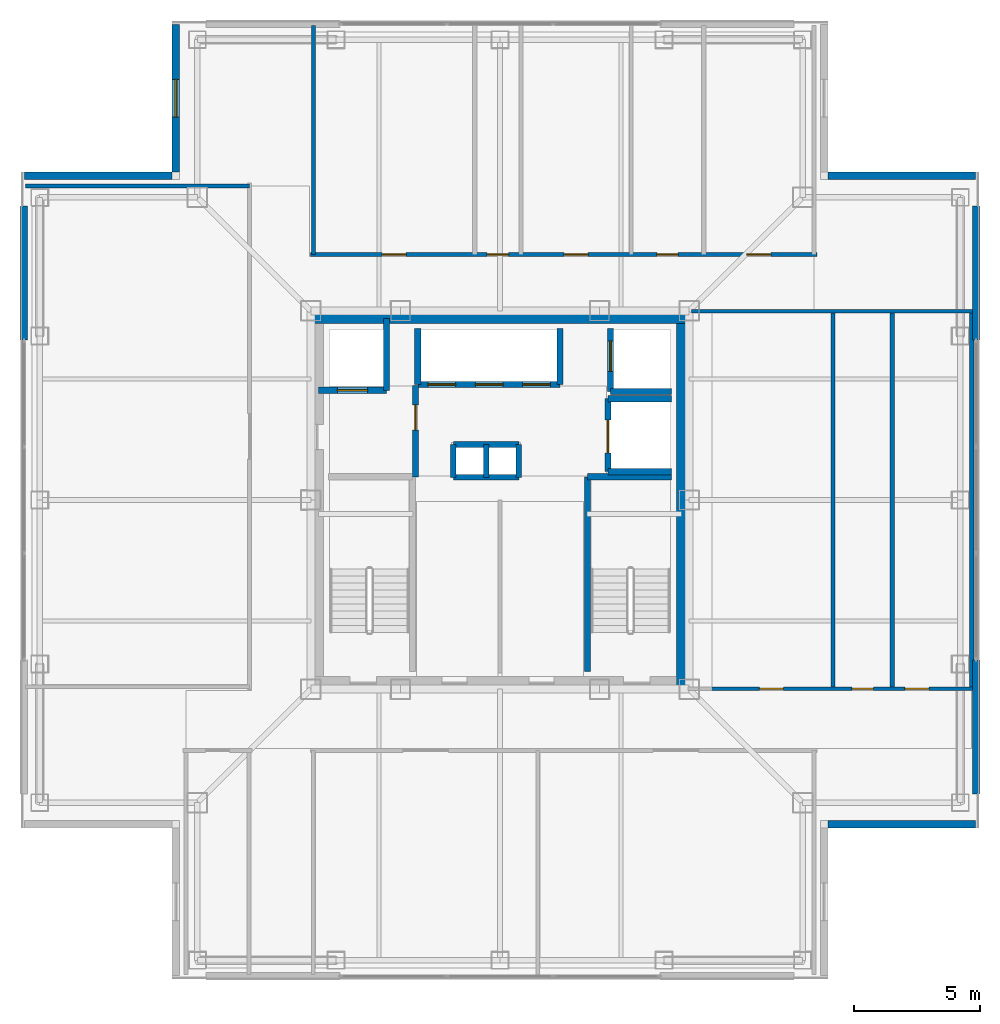
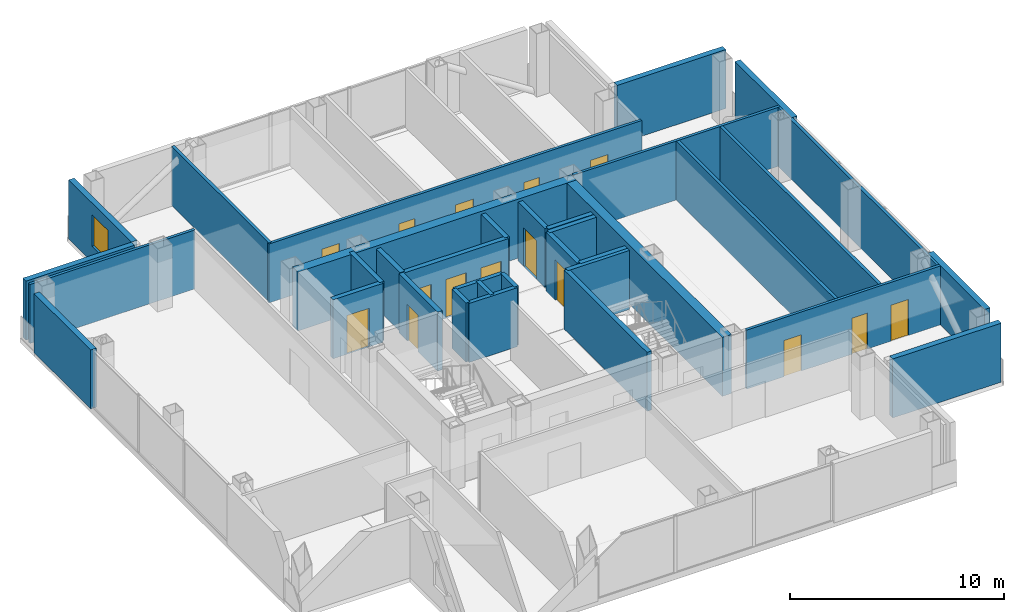
# One storey, part 9 of 16: 35 walls, 15 doors, 1 window, 16 openings.
"""IFC4 building model written with IfcOpenShell, lengths in metres."""

from ifc_helpers import new_model, si_unit, direction, frame, frame_2d, origin, place, context, subcontext, project, spatial, rectangle, extrude, material, layer, layer_set, type_object, element, fill, save


model = new_model("IFC4")

# Units and contexts
model_context = context("Model", 3, precision=1e-05, world=origin(), true_north=direction((0.0, 1.0)))
body_context = subcontext(model_context, "Body", "Model", "MODEL_VIEW")
ifc_project = project(units=[si_unit("LENGTHUNIT", "METRE"), si_unit("AREAUNIT", "SQUARE_METRE"), si_unit("VOLUMEUNIT", "CUBIC_METRE"), si_unit("PLANEANGLEUNIT", "RADIAN"), si_unit("MASSUNIT", "GRAM", prefix="KILO")], contexts=[model_context])

# Site, building, storey
site_placement = place(None, origin())
site = spatial("IfcSite", under=ifc_project, at=site_placement, CompositionType="ELEMENT")
building_placement = place(site_placement, origin())
building = spatial("IfcBuilding", under=site, at=building_placement, Name="Trevonay Congress Spire", CompositionType="ELEMENT")
storey_placement = place(building_placement, frame((0.0, 0.0, 268.39990234375)))
storey = spatial("IfcBuildingStorey", under=building, at=storey_placement, Name="L70", CompositionType="ELEMENT", Elevation=268.39990234375)

# Walls
ifc_material_1 = material(Name="Concrete C50/60", Category="concrete")
ifc_layer_1 = layer(ifc_material_1, 0.5, Name="Concrete C50/60")
ifc_layer_set_1 = layer_set([ifc_layer_1], Name="Concrete C50/60")
wall_type_1 = type_object("IfcWallType", Name="WAL-CORE-500", PredefinedType="SHEAR", material=ifc_layer_set_1)
for number, where, z_axis, x_axis, name in (
    (1, (-7.5, 7.25, 0.0), (0.0, 0.0, 1.0), (1.0, 0.0, 0.0), "L70 North structural core shear wall"),
    (2, (7.25, -7.5, 0.0), (0.0, 0.0, 1.0), (0.0, 1.0, 0.0), "L70 East structural core shear wall"),
):
    element("IfcWall", number, at=place(storey_placement, frame(where, z_axis=z_axis, x_axis=x_axis)), inside=storey, type_object=wall_type_1, Name=name, PredefinedType="SHEAR", context=body_context, shape_type="SweptSolid", body=[
        extrude(rectangle(XDim=15.0, YDim=0.5, at=frame_2d((7.5, 0.0))), origin(), (0.0, 0.0, 1.0), 3.360107421875),
    ])

# Wall, openings, doors
ifc_material_2 = material(Name="Concrete C40/50", Category="concrete")
ifc_layer_2 = layer(ifc_material_2, 0.14990234375, Name="Concrete C40/50")
ifc_layer_set_2 = layer_set([ifc_layer_2], Name="Concrete C40/50")
wall_type_2 = type_object("IfcWallType", Name="WAL-CORR-150", PredefinedType="PARTITIONING", material=ifc_layer_set_2)
wall_1_placement = place(storey_placement, frame((-7.52001953125, 9.72998046875, 0.0), z_axis=(0.0, 0.0, 1.0), x_axis=(1.0, 0.0, 0.0)))
wall_1 = element("IfcWall", 3, at=wall_1_placement, inside=storey, type_object=wall_type_2, Name="L70 interior wall WP-L70N-COR", PredefinedType="PARTITIONING", context=body_context, shape_type="SweptSolid", body=[
    extrude(rectangle(XDim=20.090087890625, YDim=0.14990234375, at=frame_2d((10.044921875, 0.0))), origin(), (0.0, 0.0, 1.0), 3.360107421875),
])
opening_1_placement = place(wall_1_placement, frame((2.844970703125, 0.0, 0.0)))
opening_1 = element("IfcOpeningElement", 4, at=opening_1_placement, cuts=wall_1, Name="Opening D07", PredefinedType="OPENING", context=body_context, shape_type="SweptSolid", body=[
    extrude(rectangle(XDim=0.949951171875, YDim=2.06005859375, at=frame_2d((0.47509765625, 1.030029296875))), frame((0.0, 0.0849609375, 0.0), z_axis=(0.0, -1.0, 0.0), x_axis=(1.0, 0.0, 0.0)), (0.0, 0.0, 1.0), 0.169921875),
])
opening_2_placement = place(wall_1_placement, frame((7.010009765625, 0.0, 0.0)))
opening_2 = element("IfcOpeningElement", 5, at=opening_2_placement, cuts=wall_1, Name="Opening D10", PredefinedType="OPENING", context=body_context, shape_type="SweptSolid", body=[
    extrude(rectangle(XDim=0.85009765625, YDim=2.050048828125, at=frame_2d((0.425048828125, 1.02490234375))), frame((0.0, 0.0849609375, 0.0), z_axis=(0.0, -1.0, 0.0), x_axis=(1.0, 0.0, 0.0)), (0.0, 0.0, 1.0), 0.169921875),
])
opening_3_placement = place(wall_1_placement, frame((10.06005859375, 0.0, 0.0)))
opening_3 = element("IfcOpeningElement", 6, at=opening_3_placement, cuts=wall_1, Name="Opening D07", PredefinedType="OPENING", context=body_context, shape_type="SweptSolid", body=[
    extrude(rectangle(XDim=0.949951171875, YDim=2.06005859375, at=frame_2d((0.47509765625, 1.030029296875))), frame((0.0, 0.0849609375, 0.0), z_axis=(0.0, -1.0, 0.0), x_axis=(1.0, 0.0, 0.0)), (0.0, 0.0, 1.0), 0.169921875),
])
opening_4_placement = place(wall_1_placement, frame((13.735107421875, 0.0, 0.0)))
opening_4 = element("IfcOpeningElement", 7, at=opening_4_placement, cuts=wall_1, Name="Opening D10", PredefinedType="OPENING", context=body_context, shape_type="SweptSolid", body=[
    extrude(rectangle(XDim=0.85009765625, YDim=2.050048828125, at=frame_2d((0.425048828125, 1.02490234375))), frame((0.0, 0.0849609375, 0.0), z_axis=(0.0, -1.0, 0.0), x_axis=(1.0, 0.0, 0.0)), (0.0, 0.0, 1.0), 0.169921875),
])
opening_5_placement = place(wall_1_placement, frame((17.31005859375, 0.0, 0.0)))
opening_5 = element("IfcOpeningElement", 8, at=opening_5_placement, cuts=wall_1, Name="Opening D07", PredefinedType="OPENING", context=body_context, shape_type="SweptSolid", body=[
    extrude(rectangle(XDim=0.949951171875, YDim=2.06005859375, at=frame_2d((0.47509765625, 1.030029296875))), frame((0.0, 0.0849609375, 0.0), z_axis=(0.0, -1.0, 0.0), x_axis=(1.0, 0.0, 0.0)), (0.0, 0.0, 1.0), 0.169921875),
])
ifc_material_3 = material(Name="Pale Anodised Aluminium EN AW-6063-T6", Category="aluminium")
door_type_1 = type_object("IfcDoorType", Name="DOR-OFFICE-95", OperationType="NOTDEFINED", PredefinedType="DOOR", material=ifc_material_3)
door_1_placement = place(opening_1_placement, origin())
door_1 = element("IfcDoor", 9, at=door_1_placement, inside=storey, type_object=door_type_1, Name="L70 North Sky Conservatory Lounge Door", OperationType="SINGLE_SWING_RIGHT", OverallHeight=2.06005859375, OverallWidth=0.949951171875, PredefinedType="DOOR", context=body_context, shape_type="SweptSolid", body=[
    extrude(rectangle(XDim=0.949951171875, YDim=2.06005859375, at=frame_2d((0.47509765625, 1.030029296875))), frame((0.0, 0.02490234375, 0.0), z_axis=(0.0, -1.0, 0.0), x_axis=(1.0, 0.0, 0.0)), (0.0, 0.0, 1.0), 0.050048828125),
])
fill(opening_1, door_1)
door_2_placement = place(opening_3_placement, origin())
door_2 = element("IfcDoor", 10, at=door_2_placement, inside=storey, type_object=door_type_1, Name="L70 Floor Supplies and Copy Room Door", OperationType="SINGLE_SWING_RIGHT", OverallHeight=2.06005859375, OverallWidth=0.949951171875, PredefinedType="DOOR", context=body_context, shape_type="SweptSolid", body=[
    extrude(rectangle(XDim=0.949951171875, YDim=2.06005859375, at=frame_2d((0.47509765625, 1.030029296875))), frame((0.0, 0.02490234375, 0.0), z_axis=(0.0, -1.0, 0.0), x_axis=(1.0, 0.0, 0.0)), (0.0, 0.0, 1.0), 0.050048828125),
])
fill(opening_3, door_2)
door_3_placement = place(opening_5_placement, origin())
door_3 = element("IfcDoor", 11, at=door_3_placement, inside=storey, type_object=door_type_1, Name="L70 Floor Supplies and Copy Room Door", OperationType="SINGLE_SWING_RIGHT", OverallHeight=2.06005859375, OverallWidth=0.949951171875, PredefinedType="DOOR", context=body_context, shape_type="SweptSolid", body=[
    extrude(rectangle(XDim=0.949951171875, YDim=2.06005859375, at=frame_2d((0.47509765625, 1.030029296875))), frame((0.0, 0.02490234375, 0.0), z_axis=(0.0, -1.0, 0.0), x_axis=(1.0, 0.0, 0.0)), (0.0, 0.0, 1.0), 0.050048828125),
])
fill(opening_5, door_3)
door_type_2 = type_object("IfcDoorType", Name="DOR-WC-85", OperationType="NOTDEFINED", PredefinedType="DOOR", material=ifc_material_3)
door_4_placement = place(opening_2_placement, origin())
door_4 = element("IfcDoor", 12, at=door_4_placement, inside=storey, type_object=door_type_2, Name="L70 Accessible WC Door", OperationType="SINGLE_SWING_LEFT", OverallHeight=2.050048828125, OverallWidth=0.85009765625, PredefinedType="DOOR", context=body_context, shape_type="SweptSolid", body=[
    extrude(rectangle(XDim=0.85009765625, YDim=2.050048828125, at=frame_2d((0.425048828125, 1.02490234375))), frame((0.0, 0.02490234375, 0.0), z_axis=(0.0, -1.0, 0.0), x_axis=(1.0, 0.0, 0.0)), (0.0, 0.0, 1.0), 0.050048828125),
])
fill(opening_2, door_4)
door_5_placement = place(opening_4_placement, origin())
door_5 = element("IfcDoor", 13, at=door_5_placement, inside=storey, type_object=door_type_2, Name="L70 Female Restroom WC Door", OperationType="SINGLE_SWING_LEFT", OverallHeight=2.050048828125, OverallWidth=0.85009765625, PredefinedType="DOOR", context=body_context, shape_type="SweptSolid", body=[
    extrude(rectangle(XDim=0.85009765625, YDim=2.050048828125, at=frame_2d((0.425048828125, 1.02490234375))), frame((0.0, 0.02490234375, 0.0), z_axis=(0.0, -1.0, 0.0), x_axis=(1.0, 0.0, 0.0)), (0.0, 0.0, 1.0), 0.050048828125),
])
fill(opening_4, door_5)

wall_2_placement = place(storey_placement, frame((8.280029296875, -7.47998046875, 0.0), z_axis=(0.0, 0.0, 1.0), x_axis=(1.0, 0.0, 0.0)))
wall_2 = element("IfcWall", 14, at=wall_2_placement, inside=storey, type_object=wall_type_2, Name="L70 interior wall WP-L70E-COR", PredefinedType="PARTITIONING", context=body_context, shape_type="SweptSolid", body=[
    extrude(rectangle(XDim=10.5400390625, YDim=0.14990234375, at=frame_2d((5.27001953125, 0.0))), origin(), (0.0, 0.0, 1.0), 3.360107421875),
])
opening_6_placement = place(wall_2_placement, frame((2.0048828125, 0.0, 0.0)))
opening_6 = element("IfcOpeningElement", 15, at=opening_6_placement, cuts=wall_2, Name="Opening D07", PredefinedType="OPENING", context=body_context, shape_type="SweptSolid", body=[
    extrude(rectangle(XDim=0.949951171875, YDim=2.06005859375, at=frame_2d((0.47509765625, 1.030029296875))), frame((0.0, 0.0849609375, 0.0), z_axis=(0.0, -1.0, 0.0), x_axis=(1.0, 0.0, 0.0)), (0.0, 0.0, 1.0), 0.169921875),
])
opening_7_placement = place(wall_2_placement, frame((5.669921875, 0.0, 0.0)))
opening_7 = element("IfcOpeningElement", 16, at=opening_7_placement, cuts=wall_2, Name="Opening D10", PredefinedType="OPENING", context=body_context, shape_type="SweptSolid", body=[
    extrude(rectangle(XDim=0.85009765625, YDim=2.050048828125, at=frame_2d((0.425048828125, 1.02490234375))), frame((0.0, 0.0849609375, 0.0), z_axis=(0.0, -1.0, 0.0), x_axis=(1.0, 0.0, 0.0)), (0.0, 0.0, 1.0), 0.169921875),
])
opening_8_placement = place(wall_2_placement, frame((7.77001953125, 0.0, 0.0)))
opening_8 = element("IfcOpeningElement", 17, at=opening_8_placement, cuts=wall_2, Name="Opening D07", PredefinedType="OPENING", context=body_context, shape_type="SweptSolid", body=[
    extrude(rectangle(XDim=0.949951171875, YDim=2.06005859375, at=frame_2d((0.47509765625, 1.030029296875))), frame((0.0, 0.0849609375, 0.0), z_axis=(0.0, -1.0, 0.0), x_axis=(1.0, 0.0, 0.0)), (0.0, 0.0, 1.0), 0.169921875),
])
door_6_placement = place(opening_6_placement, origin())
door_6 = element("IfcDoor", 18, at=door_6_placement, inside=storey, type_object=door_type_1, Name="L70 Curatorial Archive Office Door", OperationType="SINGLE_SWING_LEFT", OverallHeight=2.06005859375, OverallWidth=0.949951171875, PredefinedType="DOOR", context=body_context, shape_type="SweptSolid", body=[
    extrude(rectangle(XDim=0.949951171875, YDim=2.06005859375, at=frame_2d((0.47509765625, 1.030029296875))), frame((0.0, 0.02490234375, 0.0), z_axis=(0.0, -1.0, 0.0), x_axis=(1.0, 0.0, 0.0)), (0.0, 0.0, 1.0), 0.050048828125),
])
fill(opening_6, door_6)
door_7_placement = place(opening_8_placement, origin())
door_7 = element("IfcDoor", 19, at=door_7_placement, inside=storey, type_object=door_type_1, Name="L70 Floor Supplies and Copy Room Door", OperationType="SINGLE_SWING_LEFT", OverallHeight=2.06005859375, OverallWidth=0.949951171875, PredefinedType="DOOR", context=body_context, shape_type="SweptSolid", body=[
    extrude(rectangle(XDim=0.949951171875, YDim=2.06005859375, at=frame_2d((0.47509765625, 1.030029296875))), frame((0.0, 0.02490234375, 0.0), z_axis=(0.0, -1.0, 0.0), x_axis=(1.0, 0.0, 0.0)), (0.0, 0.0, 1.0), 0.050048828125),
])
fill(opening_8, door_7)
door_8_placement = place(opening_7_placement, origin())
door_8 = element("IfcDoor", 20, at=door_8_placement, inside=storey, type_object=door_type_2, Name="L70 Male Restroom WC Door", OperationType="SINGLE_SWING_RIGHT", OverallHeight=2.050048828125, OverallWidth=0.85009765625, PredefinedType="DOOR", context=body_context, shape_type="SweptSolid", body=[
    extrude(rectangle(XDim=0.85009765625, YDim=2.050048828125, at=frame_2d((0.425048828125, 1.02490234375))), frame((0.0, 0.02490234375, 0.0), z_axis=(0.0, -1.0, 0.0), x_axis=(1.0, 0.0, 0.0)), (0.0, 0.0, 1.0), 0.050048828125),
])
fill(opening_7, door_8)

# Walls
ifc_material_4 = material(Name="Precast concrete C40/50", Category="concrete")
ifc_layer_3 = layer(ifc_material_4, 0.300048828125, Name="Precast concrete C40/50")
ifc_layer_set_3 = layer_set([ifc_layer_3], Name="Precast concrete C40/50")
wall_type_3 = type_object("IfcWallType", Name="WAL-EXT-PRECAST-300", PredefinedType="SOLIDWALL", material=ifc_layer_set_3)
for number, where, z_axis, x_axis, name in (
    (21, (-18.8798828125, 6.35009765625, 0.0), (0.0, 0.0, 1.0), (0.0, 1.0, 0.0), "L70 WR braced-bay exterior pier wall"),
    (22, (18.8798828125, -11.64990234375, 0.0), (0.0, 0.0, 1.0), (0.0, 1.0, 0.0), "L70 EL braced-bay exterior pier wall"),
    (23, (18.8798828125, 6.35009765625, 0.0), (0.0, 0.0, 1.0), (0.0, 1.0, 0.0), "L70 ER braced-bay exterior pier wall"),
):
    element("IfcWall", number, at=place(storey_placement, frame(where, z_axis=z_axis, x_axis=x_axis)), inside=storey, type_object=wall_type_3, Name=name, PredefinedType="SOLIDWALL", context=body_context, shape_type="SweptSolid", body=[
        extrude(rectangle(XDim=5.2998046875, YDim=0.300048828125, at=frame_2d((2.64990234375, 0.0))), origin(), (0.0, 0.0, 1.0), 3.360107421875),
    ])
for number, where, z_axis, x_axis, name in (
    (24, (18.85009765625, -12.85009765625, 0.0), (0.0, 0.0, 1.0), (-1.0, 0.0, 0.0), "L70 SE re-entrant notch exterior wall 2"),
    (25, (18.85009765625, 12.85009765625, 0.0), (0.0, 0.0, 1.0), (-1.0, 0.0, 0.0), "L70 NE re-entrant notch exterior wall 2"),
):
    element("IfcWall", number, at=place(storey_placement, frame(where, z_axis=z_axis, x_axis=x_axis)), inside=storey, type_object=wall_type_3, Name=name, PredefinedType="SOLIDWALL", context=body_context, shape_type="SweptSolid", body=[
        extrude(rectangle(XDim=5.85009765625, YDim=0.300048828125, at=frame_2d((2.925048828125, 0.0))), origin(), (0.0, 0.0, 1.0), 3.360107421875),
    ])

# Wall, opening, window
wall_3_placement = place(storey_placement, frame((-12.85009765625, 18.85009765625, 0.0), z_axis=(0.0, 0.0, 1.0), x_axis=(0.0, -1.0, 0.0)))
wall_3 = element("IfcWall", 26, at=wall_3_placement, inside=storey, type_object=wall_type_3, Name="L70 NW re-entrant notch exterior wall 1", PredefinedType="SOLIDWALL", context=body_context, shape_type="SweptSolid", body=[
    extrude(rectangle(XDim=5.85009765625, YDim=0.300048828125, at=frame_2d((2.925048828125, 0.0))), origin(), (0.0, 0.0, 1.0), 3.360107421875),
])
opening_9_placement = place(wall_3_placement, frame((2.175048828125, 0.0, 0.89990234375)))
opening_9 = element("IfcOpeningElement", 27, at=opening_9_placement, cuts=wall_3, Name="Opening WN03", PredefinedType="OPENING", context=body_context, shape_type="SweptSolid", body=[
    extrude(rectangle(XDim=1.5, YDim=1.800048828125, at=frame_2d((0.75, 0.89990234375))), frame((0.0, 0.16015625, 0.0), z_axis=(0.0, -1.0, 0.0), x_axis=(1.0, 0.0, 0.0)), (0.0, 0.0, 1.0), 0.320068359375),
])
ifc_material_5 = material(Name="Insulated Low-E Vision Glass IGU", Category="glass")
window_type = type_object("IfcWindowType", Name="WIN-NOTCH-150X180", PartitioningType="SINGLE_PANEL", PredefinedType="WINDOW", material=ifc_material_5)
window_placement = place(opening_9_placement, origin())
window = element("IfcWindow", 28, at=window_placement, inside=storey, type_object=window_type, Name="L70 NW corner notch window", OverallHeight=1.800048828125, OverallWidth=1.5, PartitioningType="SINGLE_PANEL", PredefinedType="WINDOW", context=body_context, shape_type="SweptSolid", body=[
    extrude(rectangle(XDim=1.5, YDim=1.800048828125, at=frame_2d((0.75, 0.89990234375))), frame((0.0, 0.030029296875, 0.0), z_axis=(0.0, -1.0, 0.0), x_axis=(1.0, 0.0, 0.0)), (0.0, 0.0, 1.0), 0.06005859375),
])
fill(opening_9, window)

# Walls
wall_4_placement = place(storey_placement, frame((-18.85009765625, 12.85009765625, 0.0), z_axis=(0.0, 0.0, 1.0), x_axis=(1.0, 0.0, 0.0)))
element("IfcWall", 29, at=wall_4_placement, inside=storey, type_object=wall_type_3, Name="L70 NW re-entrant notch exterior wall 2", PredefinedType="SOLIDWALL", context=body_context, shape_type="SweptSolid", body=[
    extrude(rectangle(XDim=5.85009765625, YDim=0.300048828125, at=frame_2d((2.925048828125, 0.0))), origin(), (0.0, 0.0, 1.0), 3.360107421875),
])
ifc_layer_4 = layer(ifc_material_2, 0.14990234375, Name="Concrete C40/50")
ifc_layer_set_4 = layer_set([ifc_layer_4], Name="Concrete C40/50")
wall_type_4 = type_object("IfcWallType", Name="WAL-PART-150", PredefinedType="PARTITIONING", material=ifc_layer_set_4)
wall_5_placement = place(storey_placement, frame((-18.820068359375, 12.449951171875, 0.0), z_axis=(0.0, 0.0, 1.0), x_axis=(1.0, 0.0, 0.0)))
element("IfcWall", 30, at=wall_5_placement, inside=storey, type_object=wall_type_4, Name="L70 interior wall WP-L70NW-DIV2", PredefinedType="PARTITIONING", context=body_context, shape_type="SweptSolid", body=[
    extrude(rectangle(XDim=8.89013671875, YDim=0.14990234375, at=frame_2d((4.445068359375, 0.0))), origin(), (0.0, 0.0, 1.0), 3.360107421875),
])
wall_6_placement = place(storey_placement, frame((7.60009765625, 7.47998046875, 0.0), z_axis=(0.0, 0.0, 1.0), x_axis=(1.0, 0.0, 0.0)))
element("IfcWall", 31, at=wall_6_placement, inside=storey, type_object=wall_type_4, Name="L70 interior wall WP-L70E-NCLS", PredefinedType="PARTITIONING", context=body_context, shape_type="SweptSolid", body=[
    extrude(rectangle(XDim=11.219970703125, YDim=0.14990234375, at=frame_2d((5.60986328125, 0.0))), origin(), (0.0, 0.0, 1.0), 3.360107421875),
])
ifc_layer_5 = layer(ifc_material_2, 0.219970703125, Name="Concrete C40/50")
ifc_layer_set_5 = layer_set([ifc_layer_5], Name="Concrete C40/50")
wall_type_5 = type_object("IfcWallType", Name="WAL-SHAFT-220", PredefinedType="PARTITIONING", material=ifc_layer_set_5)
for number, where, z_axis, x_axis, name in (
    (32, (-1.85009765625, 2.199951171875, 0.0), (0.0, 0.0, 1.0), (1.0, 0.0, 0.0), "L70 interior shaft wall WSH-L70-RSR-N"),
    (33, (-1.85009765625, 0.89990234375, 0.0), (0.0, 0.0, 1.0), (1.0, 0.0, 0.0), "L70 interior shaft wall WSH-L70-RSR-S"),
):
    element("IfcWall", number, at=place(storey_placement, frame(where, z_axis=z_axis, x_axis=x_axis)), inside=storey, type_object=wall_type_5, Name=name, PredefinedType="PARTITIONING", context=body_context, shape_type="SweptSolid", body=[
        extrude(rectangle(XDim=2.60009765625, YDim=0.219970703125, at=frame_2d((1.300048828125, 0.0))), origin(), (0.0, 0.0, 1.0), 3.360107421875),
    ])
for number, where, z_axis, x_axis, name in (
    (34, (-0.550048828125, 0.89990234375, 0.0), (0.0, 0.0, 1.0), (0.0, 1.0, 0.0), "L70 interior shaft wall WSH-L70-RSR-M"),
    (35, (0.75, 0.89990234375, 0.0), (0.0, 0.0, 1.0), (0.0, 1.0, 0.0), "L70 interior shaft wall WSH-L70-RSR-E"),
    (36, (-1.85009765625, 0.89990234375, 0.0), (0.0, 0.0, 1.0), (0.0, 1.0, 0.0), "L70 interior shaft wall WSH-L70-RSR-W"),
):
    element("IfcWall", number, at=place(storey_placement, frame(where, z_axis=z_axis, x_axis=x_axis)), inside=storey, type_object=wall_type_5, Name=name, PredefinedType="PARTITIONING", context=body_context, shape_type="SweptSolid", body=[
        extrude(rectangle(XDim=1.300048828125, YDim=0.219970703125, at=frame_2d((0.64990234375, 0.0))), origin(), (0.0, 0.0, 1.0), 3.360107421875),
    ])

# Wall, openings, doors
ifc_layer_6 = layer(ifc_material_2, 0.25, Name="Concrete C40/50")
ifc_layer_set_6 = layer_set([ifc_layer_6], Name="Concrete C40/50")
wall_type_6 = type_object("IfcWallType", Name="WAL-SHAFT-250", PredefinedType="SHEAR", material=ifc_layer_set_6)
wall_7_placement = place(storey_placement, frame((-3.260009765625, 4.580078125, 0.0), z_axis=(0.0, 0.0, 1.0), x_axis=(1.0, 0.0, 0.0)))
wall_7 = element("IfcWall", 37, at=wall_7_placement, inside=storey, type_object=wall_type_6, Name="L70 interior shaft wall WSH-L70-B3-S", PredefinedType="SHEAR", context=body_context, shape_type="SweptSolid", body=[
    extrude(rectangle(XDim=5.639892578125, YDim=0.25, at=frame_2d((2.81982421875, 0.0))), origin(), (0.0, 0.0, 1.0), 3.360107421875),
])
opening_10_placement = place(wall_7_placement, frame((0.39990234375, 0.0, 0.0)))
opening_10 = element("IfcOpeningElement", 38, at=opening_10_placement, cuts=wall_7, Name="Opening LD03", PredefinedType="OPENING", context=body_context, shape_type="SweptSolid", body=[
    extrude(rectangle(XDim=1.10009765625, YDim=2.199951171875, at=frame_2d((0.550048828125, 1.10009765625))), frame((0.0, 0.135009765625, 0.0), z_axis=(0.0, -1.0, 0.0), x_axis=(1.0, 0.0, 0.0)), (0.0, 0.0, 1.0), 0.27001953125),
])
opening_11_placement = place(wall_7_placement, frame((2.280029296875, 0.0, 0.0)))
opening_11 = element("IfcOpeningElement", 39, at=opening_11_placement, cuts=wall_7, Name="Opening LD03", PredefinedType="OPENING", context=body_context, shape_type="SweptSolid", body=[
    extrude(rectangle(XDim=1.10009765625, YDim=2.199951171875, at=frame_2d((0.550048828125, 1.10009765625))), frame((0.0, 0.135009765625, 0.0), z_axis=(0.0, -1.0, 0.0), x_axis=(1.0, 0.0, 0.0)), (0.0, 0.0, 1.0), 0.27001953125),
])
opening_12_placement = place(wall_7_placement, frame((4.159912109375, 0.0, 0.0)))
opening_12 = element("IfcOpeningElement", 40, at=opening_12_placement, cuts=wall_7, Name="Opening LD03", PredefinedType="OPENING", context=body_context, shape_type="SweptSolid", body=[
    extrude(rectangle(XDim=1.10009765625, YDim=2.199951171875, at=frame_2d((0.550048828125, 1.10009765625))), frame((0.0, 0.135009765625, 0.0), z_axis=(0.0, -1.0, 0.0), x_axis=(1.0, 0.0, 0.0)), (0.0, 0.0, 1.0), 0.27001953125),
])
door_type_3 = type_object("IfcDoorType", Name="DOR-LIFT-LD03", OperationType="DOUBLE_DOOR_SLIDING", PredefinedType="DOOR", material=ifc_material_3)
door_9_placement = place(opening_10_placement, origin())
door_9 = element("IfcDoor", 41, at=door_9_placement, inside=storey, type_object=door_type_3, Name="L70 Passenger lift PL-07 landing door", OperationType="DOUBLE_DOOR_SLIDING", OverallHeight=2.199951171875, OverallWidth=1.10009765625, PredefinedType="DOOR", context=body_context, shape_type="SweptSolid", body=[
    extrude(rectangle(XDim=1.10009765625, YDim=2.199951171875, at=frame_2d((0.550048828125, 1.10009765625))), frame((0.0, 0.02490234375, 0.0), z_axis=(0.0, -1.0, 0.0), x_axis=(1.0, 0.0, 0.0)), (0.0, 0.0, 1.0), 0.050048828125),
])
fill(opening_10, door_9)
door_10_placement = place(opening_11_placement, origin())
door_10 = element("IfcDoor", 42, at=door_10_placement, inside=storey, type_object=door_type_3, Name="L70 Passenger lift PL-08 landing door", OperationType="DOUBLE_DOOR_SLIDING", OverallHeight=2.199951171875, OverallWidth=1.10009765625, PredefinedType="DOOR", context=body_context, shape_type="SweptSolid", body=[
    extrude(rectangle(XDim=1.10009765625, YDim=2.199951171875, at=frame_2d((0.550048828125, 1.10009765625))), frame((0.0, 0.02490234375, 0.0), z_axis=(0.0, -1.0, 0.0), x_axis=(1.0, 0.0, 0.0)), (0.0, 0.0, 1.0), 0.050048828125),
])
fill(opening_11, door_10)
door_11_placement = place(opening_12_placement, origin())
door_11 = element("IfcDoor", 43, at=door_11_placement, inside=storey, type_object=door_type_3, Name="L70 Passenger lift PL-09 landing door", OperationType="DOUBLE_DOOR_SLIDING", OverallHeight=2.199951171875, OverallWidth=1.10009765625, PredefinedType="DOOR", context=body_context, shape_type="SweptSolid", body=[
    extrude(rectangle(XDim=1.10009765625, YDim=2.199951171875, at=frame_2d((0.550048828125, 1.10009765625))), frame((0.0, 0.02490234375, 0.0), z_axis=(0.0, -1.0, 0.0), x_axis=(1.0, 0.0, 0.0)), (0.0, 0.0, 1.0), 0.050048828125),
])
fill(opening_12, door_11)

# Walls
for number, where, z_axis, x_axis, name in (
    (44, (-3.260009765625, 4.580078125, 0.0), (0.0, 0.0, 1.0), (0.0, 1.0, 0.0), "L70 interior shaft wall WSH-L70-B3-W"),
    (45, (2.3798828125, 4.580078125, 0.0), (0.0, 0.0, 1.0), (0.0, 1.0, 0.0), "L70 interior shaft wall WSH-L70-B3-E"),
):
    element("IfcWall", number, at=place(storey_placement, frame(where, z_axis=z_axis, x_axis=x_axis)), inside=storey, type_object=wall_type_6, Name=name, PredefinedType="SHEAR", context=body_context, shape_type="SweptSolid", body=[
        extrude(rectangle(XDim=2.219970703125, YDim=0.25, at=frame_2d((1.10986328125, 0.0))), origin(), (0.0, 0.0, 1.0), 3.360107421875),
    ])

# Wall, opening, door
wall_8_placement = place(storey_placement, frame((-7.199951171875, 4.35009765625, 0.0), z_axis=(0.0, 0.0, 1.0), x_axis=(1.0, 0.0, 0.0)))
wall_8 = element("IfcWall", 46, at=wall_8_placement, inside=storey, type_object=wall_type_6, Name="L70 interior shaft wall WSH-L70-FF1-S", PredefinedType="SHEAR", context=body_context, shape_type="SweptSolid", body=[
    extrude(rectangle(XDim=2.699951171875, YDim=0.25, at=frame_2d((1.35009765625, 0.0))), origin(), (0.0, 0.0, 1.0), 3.360107421875),
])
opening_13_placement = place(wall_8_placement, frame((0.75, 0.0, 0.0)))
opening_13 = element("IfcOpeningElement", 47, at=opening_13_placement, cuts=wall_8, Name="Opening LD04", PredefinedType="OPENING", context=body_context, shape_type="SweptSolid", body=[
    extrude(rectangle(XDim=1.199951171875, YDim=2.199951171875, at=frame_2d((0.60009765625, 1.10009765625))), frame((0.0, 0.135009765625, 0.0), z_axis=(0.0, -1.0, 0.0), x_axis=(1.0, 0.0, 0.0)), (0.0, 0.0, 1.0), 0.27001953125),
])
ifc_material_6 = material(Name="Steel ASTM A572 Grade 50", Category="steel")
door_type_4 = type_object("IfcDoorType", Name="DOR-LIFT-LD04", OperationType="DOUBLE_DOOR_SLIDING", PredefinedType="DOOR", material=ifc_material_6)
door_12_placement = place(opening_13_placement, origin())
door_12 = element("IfcDoor", 48, at=door_12_placement, inside=storey, type_object=door_type_4, Name="L70 Firefighting lift FFL-01 landing door", OperationType="DOUBLE_DOOR_SLIDING", OverallHeight=2.199951171875, OverallWidth=1.199951171875, PredefinedType="DOOR", context=body_context, shape_type="SweptSolid", body=[
    extrude(rectangle(XDim=1.199951171875, YDim=2.199951171875, at=frame_2d((0.60009765625, 1.10009765625))), frame((0.0, 0.02490234375, 0.0), z_axis=(0.0, -1.0, 0.0), x_axis=(1.0, 0.0, 0.0)), (0.0, 0.0, 1.0), 0.050048828125),
])
fill(opening_13, door_12)

# Walls
wall_9_placement = place(storey_placement, frame((-4.5, 4.35009765625, 0.0), z_axis=(0.0, 0.0, 1.0), x_axis=(0.0, 1.0, 0.0)))
element("IfcWall", 49, at=wall_9_placement, inside=storey, type_object=wall_type_6, Name="L70 interior shaft wall WSH-L70-FF1-E", PredefinedType="SHEAR", context=body_context, shape_type="SweptSolid", body=[
    extrude(rectangle(XDim=2.849853515625, YDim=0.25, at=frame_2d((1.4248046875, 0.0))), origin(), (0.0, 0.0, 1.0), 3.360107421875),
])
wall_10_placement = place(storey_placement, frame((4.3798828125, 4.300048828125, 0.0), z_axis=(0.0, 0.0, 1.0), x_axis=(1.0, 0.0, 0.0)))
element("IfcWall", 50, at=wall_10_placement, inside=storey, type_object=wall_type_6, Name="L70 interior shaft wall WSH-L70-FF2-S", PredefinedType="SHEAR", context=body_context, shape_type="SweptSolid", body=[
    extrude(rectangle(XDim=2.420166015625, YDim=0.25, at=frame_2d((1.2099609375, 0.0))), origin(), (0.0, 0.0, 1.0), 3.360107421875),
])

# Wall, opening, door
wall_11_placement = place(storey_placement, frame((4.3798828125, 4.300048828125, 0.0), z_axis=(0.0, 0.0, 1.0), x_axis=(0.0, 1.0, 0.0)))
wall_11 = element("IfcWall", 51, at=wall_11_placement, inside=storey, type_object=wall_type_6, Name="L70 interior shaft wall WSH-L70-FF2-W", PredefinedType="SHEAR", context=body_context, shape_type="SweptSolid", body=[
    extrude(rectangle(XDim=2.5, YDim=0.25, at=frame_2d((1.25, 0.0))), origin(), (0.0, 0.0, 1.0), 3.360107421875),
])
opening_14_placement = place(wall_11_placement, frame((0.800048828125, 0.0, 0.0)))
opening_14 = element("IfcOpeningElement", 52, at=opening_14_placement, cuts=wall_11, Name="Opening LD04", PredefinedType="OPENING", context=body_context, shape_type="SweptSolid", body=[
    extrude(rectangle(XDim=1.199951171875, YDim=2.199951171875, at=frame_2d((0.60009765625, 1.10009765625))), frame((0.0, 0.135009765625, 0.0), z_axis=(0.0, -1.0, 0.0), x_axis=(1.0, 0.0, 0.0)), (0.0, 0.0, 1.0), 0.27001953125),
])
door_13_placement = place(opening_14_placement, origin())
door_13 = element("IfcDoor", 53, at=door_13_placement, inside=storey, type_object=door_type_4, Name="L70 Firefighting lift FFL-02 landing door", OperationType="DOUBLE_DOOR_SLIDING", OverallHeight=2.199951171875, OverallWidth=1.199951171875, PredefinedType="DOOR", context=body_context, shape_type="SweptSolid", body=[
    extrude(rectangle(XDim=1.199951171875, YDim=2.199951171875, at=frame_2d((0.60009765625, 1.10009765625))), frame((0.0, 0.02490234375, 0.0), z_axis=(0.0, -1.0, 0.0), x_axis=(1.0, 0.0, 0.0)), (0.0, 0.0, 1.0), 0.050048828125),
])
fill(opening_14, door_13)

wall_12_placement = place(storey_placement, frame((4.280029296875, 1.1201171875, 0.0), z_axis=(0.0, 0.0, 1.0), x_axis=(0.0, 1.0, 0.0)))
wall_12 = element("IfcWall", 54, at=wall_12_placement, inside=storey, type_object=wall_type_6, Name="L70 interior shaft wall WSH-L70-SV-W", PredefinedType="SHEAR", context=body_context, shape_type="SweptSolid", body=[
    extrude(rectangle(XDim=2.89990234375, YDim=0.25, at=frame_2d((1.449951171875, 0.0))), origin(), (0.0, 0.0, 1.0), 3.360107421875),
])
opening_15_placement = place(wall_12_placement, frame((0.75, 0.0, 0.0)))
opening_15 = element("IfcOpeningElement", 55, at=opening_15_placement, cuts=wall_12, Name="Opening LD05", PredefinedType="OPENING", context=body_context, shape_type="SweptSolid", body=[
    extrude(rectangle(XDim=1.300048828125, YDim=2.300048828125, at=frame_2d((0.64990234375, 1.14990234375))), frame((0.0, 0.135009765625, 0.0), z_axis=(0.0, -1.0, 0.0), x_axis=(1.0, 0.0, 0.0)), (0.0, 0.0, 1.0), 0.27001953125),
])
door_type_5 = type_object("IfcDoorType", Name="DOR-LIFT-LD05", OperationType="DOUBLE_DOOR_SLIDING", PredefinedType="DOOR", material=ifc_material_6)
door_14_placement = place(opening_15_placement, origin())
door_14 = element("IfcDoor", 56, at=door_14_placement, inside=storey, type_object=door_type_5, Name="L70 Goods lift SVL-01 landing door", OperationType="DOUBLE_DOOR_SLIDING", OverallHeight=2.300048828125, OverallWidth=1.300048828125, PredefinedType="DOOR", context=body_context, shape_type="SweptSolid", body=[
    extrude(rectangle(XDim=1.300048828125, YDim=2.300048828125, at=frame_2d((0.64990234375, 1.14990234375))), frame((0.0, 0.02490234375, 0.0), z_axis=(0.0, -1.0, 0.0), x_axis=(1.0, 0.0, 0.0)), (0.0, 0.0, 1.0), 0.050048828125),
])
fill(opening_15, door_14)

# Walls
for number, where, z_axis, x_axis, name in (
    (57, (4.280029296875, 1.1201171875, 0.0), (0.0, 0.0, 1.0), (1.0, 0.0, 0.0), "L70 interior shaft wall WSH-L70-SV-S"),
    (58, (4.280029296875, 4.02001953125, 0.0), (0.0, 0.0, 1.0), (1.0, 0.0, 0.0), "L70 interior shaft wall WSH-L70-SV-N"),
):
    element("IfcWall", number, at=place(storey_placement, frame(where, z_axis=z_axis, x_axis=x_axis)), inside=storey, type_object=wall_type_6, Name=name, PredefinedType="SHEAR", context=body_context, shape_type="SweptSolid", body=[
        extrude(rectangle(XDim=2.52001953125, YDim=0.25, at=frame_2d((1.260009765625, 0.0))), origin(), (0.0, 0.0, 1.0), 3.360107421875),
    ])

# Wall, opening, door
wall_13_placement = place(storey_placement, frame((-3.35009765625, 0.919921875, 0.0), z_axis=(0.0, 0.0, 1.0), x_axis=(0.0, 1.0, 0.0)))
wall_13 = element("IfcWall", 59, at=wall_13_placement, inside=storey, type_object=wall_type_6, Name="L70 interior wall CW-FFLW-E-L70", PredefinedType="SHEAR", context=body_context, shape_type="SweptSolid", body=[
    extrude(rectangle(XDim=3.6201171875, YDim=0.25, at=frame_2d((1.81005859375, 0.0))), origin(), (0.0, 0.0, 1.0), 3.360107421875),
])
opening_16_placement = place(wall_13_placement, frame((1.85009765625, 0.0, 0.0)))
opening_16 = element("IfcOpeningElement", 60, at=opening_16_placement, cuts=wall_13, Name="Opening D06", PredefinedType="OPENING", context=body_context, shape_type="SweptSolid", body=[
    extrude(rectangle(XDim=1.0, YDim=2.080078125, at=frame_2d((0.5, 1.0400390625))), frame((0.0, 0.135009765625, 0.0), z_axis=(0.0, -1.0, 0.0), x_axis=(1.0, 0.0, 0.0)), (0.0, 0.0, 1.0), 0.27001953125),
])
door_type_6 = type_object("IfcDoorType", Name="DOR-FIRE-100", OperationType="NOTDEFINED", PredefinedType="DOOR", material=ifc_material_6)
door_15_placement = place(opening_16_placement, origin())
door_15 = element("IfcDoor", 61, at=door_15_placement, inside=storey, type_object=door_type_6, Name="L70 Firefighting Core Lobby Transfer Door", OperationType="SINGLE_SWING_RIGHT", OverallHeight=2.080078125, OverallWidth=1.0, PredefinedType="DOOR", context=body_context, shape_type="SweptSolid", body=[
    extrude(rectangle(XDim=1.0, YDim=2.080078125, at=frame_2d((0.5, 1.0400390625))), frame((0.0, 0.02490234375, 0.0), z_axis=(0.0, -1.0, 0.0), x_axis=(1.0, 0.0, 0.0)), (0.0, 0.0, 1.0), 0.050048828125),
])
fill(opening_16, door_15)

# Walls
ifc_layer_7 = layer(ifc_material_2, 0.25, Name="Concrete C40/50")
ifc_layer_set_7 = layer_set([ifc_layer_7], Name="Concrete C40/50")
wall_type_7 = type_object("IfcWallType", Name="WAL-SHAFT-LB-250", PredefinedType="SHEAR", material=ifc_layer_set_7)
wall_14_placement = place(storey_placement, frame((3.469970703125, -6.800048828125, 0.0), z_axis=(0.0, 0.0, 1.0), x_axis=(0.0, 1.0, 0.0)))
element("IfcWall", 62, at=wall_14_placement, inside=storey, type_object=wall_type_7, Name="L70 interior shaft wall WSH-L70-ST2-W", PredefinedType="SHEAR", context=body_context, shape_type="SweptSolid", body=[
    extrude(rectangle(XDim=7.719970703125, YDim=0.25, at=frame_2d((3.85986328125, 0.0))), origin(), (0.0, 0.0, 1.0), 3.360107421875),
])
wall_15_placement = place(storey_placement, frame((3.469970703125, 0.919921875, 0.0), z_axis=(0.0, 0.0, 1.0), x_axis=(1.0, 0.0, 0.0)))
element("IfcWall", 63, at=wall_15_placement, inside=storey, type_object=wall_type_7, Name="L70 interior shaft wall WSH-L70-ST2-N", PredefinedType="SHEAR", context=body_context, shape_type="SweptSolid", body=[
    extrude(rectangle(XDim=3.330078125, YDim=0.25, at=frame_2d((1.6650390625, 0.0))), origin(), (0.0, 0.0, 1.0), 3.360107421875),
])
ifc_layer_8 = layer(ifc_material_2, 0.1650390625, Name="Concrete C40/50")
ifc_layer_set_8 = layer_set([ifc_layer_8], Name="Concrete C40/50")
wall_type_8 = type_object("IfcWallType", Name="WAL-WET-165", PredefinedType="PLUMBINGWALL", material=ifc_layer_set_8)
wall_16_placement = place(storey_placement, frame((-7.39990234375, 9.72998046875, 0.0), z_axis=(0.0, 0.0, 1.0), x_axis=(0.0, 1.0, 0.0)))
element("IfcWall", 64, at=wall_16_placement, inside=storey, type_object=wall_type_8, Name="L70 interior wall WP-L70N-DIV1", PredefinedType="PLUMBINGWALL", context=body_context, shape_type="SweptSolid", body=[
    extrude(rectangle(XDim=9.090087890625, YDim=0.1650390625, at=frame_2d((4.544921875, 0.0))), origin(), (0.0, 0.0, 1.0), 3.360107421875),
])
for number, where, z_axis, x_axis, name in (
    (65, (15.550048828125, -7.47998046875, 0.0), (0.0, 0.0, 1.0), (0.0, 1.0, 0.0), "L70 interior wall WP-L70E-WCS2"),
    (66, (13.199951171875, -7.47998046875, 0.0), (0.0, 0.0, 1.0), (0.0, 1.0, 0.0), "L70 interior wall WP-L70E-DIV1"),
    (67, (18.699951171875, -7.47998046875, 0.0), (0.0, 0.0, 1.0), (0.0, 1.0, 0.0), "L70 interior wall WP-L70E-DIV2"),
):
    element("IfcWall", number, at=place(storey_placement, frame(where, z_axis=z_axis, x_axis=x_axis)), inside=storey, type_object=wall_type_8, Name=name, PredefinedType="PLUMBINGWALL", context=body_context, shape_type="SweptSolid", body=[
        extrude(rectangle(XDim=14.89990234375, YDim=0.1650390625, at=frame_2d((7.449951171875, 0.0))), origin(), (0.0, 0.0, 1.0), 3.360107421875),
    ])

save(model, "model.ifc")
